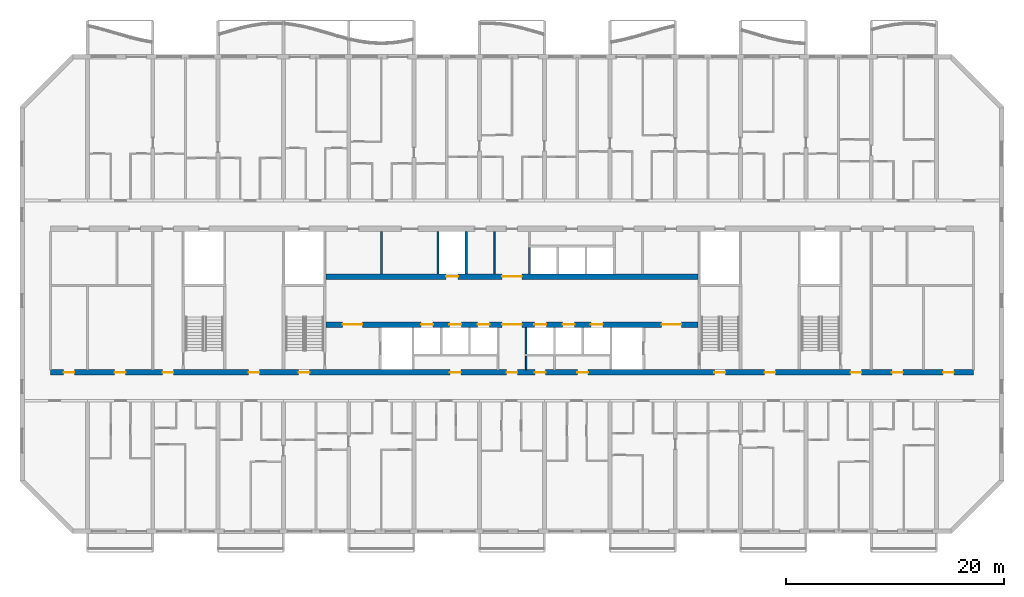
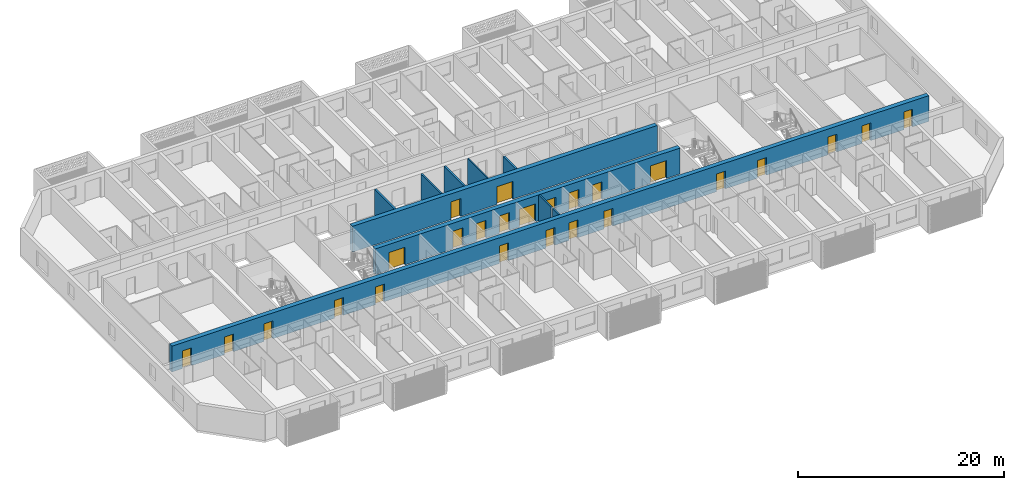
# One storey, part 7 of 31: 25 doors, 10 walls, 25 openings.
"""IFC4 building model written with IfcOpenShell, lengths in metres."""

from ifc_helpers import new_model, si_unit, direction, frame, frame_2d, origin, place, context, subcontext, project, spatial, rectangle, extrude, material, layer, layer_set, type_object, element, fill, save


model = new_model("IFC4")

# Units and contexts
model_context = context("Model", 3, precision=1e-05, world=origin(), true_north=direction((0.0, 1.0)))
body_context = subcontext(model_context, "Body", "Model", "MODEL_VIEW")
ifc_project = project(units=[si_unit("LENGTHUNIT", "METRE"), si_unit("AREAUNIT", "SQUARE_METRE"), si_unit("VOLUMEUNIT", "CUBIC_METRE"), si_unit("PLANEANGLEUNIT", "RADIAN"), si_unit("MASSUNIT", "GRAM", prefix="KILO")], contexts=[model_context])

# Site, building, storey
site_placement = place(None, origin())
site = spatial("IfcSite", under=ifc_project, at=site_placement, CompositionType="ELEMENT")
building_placement = place(site_placement, origin())
building = spatial("IfcBuilding", under=site, at=building_placement, Name="Poui Terraces", CompositionType="ELEMENT")
storey_placement = place(building_placement, frame((0.0, 0.0, 82.800048828125)))
storey = spatial("IfcBuildingStorey", under=building, at=storey_placement, Name="L22", CompositionType="ELEMENT", Elevation=82.800048828125)

# Wall, openings, doors
ifc_material_1 = material(Name="Concrete 65 MPa", Category="concrete")
ifc_layer_1 = layer(ifc_material_1, 0.5)
ifc_layer_set_1 = layer_set([ifc_layer_1], Name="Concrete 65 MPa")
wall_type_1 = type_object("IfcWallType", Name="CORE WALL 500 65 MPA", PredefinedType="SOLIDWALL", material=ifc_layer_set_1)
wall_1_placement = place(storey_placement, frame((33.925048828125, 19.0, 0.0), z_axis=(0.0, 0.0, 1.0), x_axis=(1.0, 0.0, 0.0)))
wall_1 = element("IfcWall", 1, at=wall_1_placement, inside=storey, type_object=wall_type_1, Name="CORE WALL", PredefinedType="SOLIDWALL", context=body_context, shape_type="SweptSolid", body=[
    extrude(rectangle(XDim=34.14990234375, YDim=0.5, at=frame_2d((17.074951171875, 0.0))), origin(), (0.0, 0.0, 1.0), 3.06005859375),
])
opening_1_placement = place(wall_1_placement, frame((16.175048828125, 0.0, 0.0)))
opening_1 = element("IfcOpeningElement", 2, at=opening_1_placement, cuts=wall_1, Name="Opening FDD60", PredefinedType="OPENING", context=body_context, shape_type="SweptSolid", body=[
    extrude(rectangle(XDim=1.800048828125, YDim=2.10009765625, at=frame_2d((0.89990234375, 1.050048828125))), frame((0.0, 0.260009765625, 0.0), z_axis=(0.0, -1.0, 0.0), x_axis=(1.0, 0.0, 0.0)), (0.0, 0.0, 1.0), 0.52001953125),
])
opening_2_placement = place(wall_1_placement, frame((1.52490234375, 0.0, 0.0)))
opening_2 = element("IfcOpeningElement", 3, at=opening_2_placement, cuts=wall_1, Name="Opening FDD60", PredefinedType="OPENING", context=body_context, shape_type="SweptSolid", body=[
    extrude(rectangle(XDim=1.800048828125, YDim=2.10009765625, at=frame_2d((0.89990234375, 1.050048828125))), frame((0.0, 0.260009765625, 0.0), z_axis=(0.0, -1.0, 0.0), x_axis=(1.0, 0.0, 0.0)), (0.0, 0.0, 1.0), 0.52001953125),
])
opening_3_placement = place(wall_1_placement, frame((8.72509765625, 0.0, 0.0)))
opening_3 = element("IfcOpeningElement", 4, at=opening_3_placement, cuts=wall_1, Name="Opening LD", PredefinedType="OPENING", context=body_context, shape_type="SweptSolid", body=[
    extrude(rectangle(XDim=1.10009765625, YDim=2.10009765625, at=frame_2d((0.550048828125, 1.050048828125))), frame((0.0, 0.260009765625, 0.0), z_axis=(0.0, -1.0, 0.0), x_axis=(1.0, 0.0, 0.0)), (0.0, 0.0, 1.0), 0.52001953125),
])
opening_4_placement = place(wall_1_placement, frame((11.324951171875, 0.0, 0.0)))
opening_4 = element("IfcOpeningElement", 5, at=opening_4_placement, cuts=wall_1, Name="Opening LD", PredefinedType="OPENING", context=body_context, shape_type="SweptSolid", body=[
    extrude(rectangle(XDim=1.10009765625, YDim=2.10009765625, at=frame_2d((0.550048828125, 1.050048828125))), frame((0.0, 0.260009765625, 0.0), z_axis=(0.0, -1.0, 0.0), x_axis=(1.0, 0.0, 0.0)), (0.0, 0.0, 1.0), 0.52001953125),
])
opening_5_placement = place(wall_1_placement, frame((13.925048828125, 0.0, 0.0)))
opening_5 = element("IfcOpeningElement", 6, at=opening_5_placement, cuts=wall_1, Name="Opening LD", PredefinedType="OPENING", context=body_context, shape_type="SweptSolid", body=[
    extrude(rectangle(XDim=1.10009765625, YDim=2.10009765625, at=frame_2d((0.550048828125, 1.050048828125))), frame((0.0, 0.260009765625, 0.0), z_axis=(0.0, -1.0, 0.0), x_axis=(1.0, 0.0, 0.0)), (0.0, 0.0, 1.0), 0.52001953125),
])
opening_6_placement = place(wall_1_placement, frame((19.125, 0.0, 0.0)))
opening_6 = element("IfcOpeningElement", 7, at=opening_6_placement, cuts=wall_1, Name="Opening LD", PredefinedType="OPENING", context=body_context, shape_type="SweptSolid", body=[
    extrude(rectangle(XDim=1.10009765625, YDim=2.10009765625, at=frame_2d((0.550048828125, 1.050048828125))), frame((0.0, 0.260009765625, 0.0), z_axis=(0.0, -1.0, 0.0), x_axis=(1.0, 0.0, 0.0)), (0.0, 0.0, 1.0), 0.52001953125),
])
opening_7_placement = place(wall_1_placement, frame((21.72509765625, 0.0, 0.0)))
opening_7 = element("IfcOpeningElement", 8, at=opening_7_placement, cuts=wall_1, Name="Opening LD", PredefinedType="OPENING", context=body_context, shape_type="SweptSolid", body=[
    extrude(rectangle(XDim=1.10009765625, YDim=2.10009765625, at=frame_2d((0.550048828125, 1.050048828125))), frame((0.0, 0.260009765625, 0.0), z_axis=(0.0, -1.0, 0.0), x_axis=(1.0, 0.0, 0.0)), (0.0, 0.0, 1.0), 0.52001953125),
])
opening_8_placement = place(wall_1_placement, frame((24.324951171875, 0.0, 0.0)))
opening_8 = element("IfcOpeningElement", 9, at=opening_8_placement, cuts=wall_1, Name="Opening LD", PredefinedType="OPENING", context=body_context, shape_type="SweptSolid", body=[
    extrude(rectangle(XDim=1.10009765625, YDim=2.10009765625, at=frame_2d((0.550048828125, 1.050048828125))), frame((0.0, 0.260009765625, 0.0), z_axis=(0.0, -1.0, 0.0), x_axis=(1.0, 0.0, 0.0)), (0.0, 0.0, 1.0), 0.52001953125),
])
opening_9_placement = place(wall_1_placement, frame((30.824951171875, 0.0, 0.0)))
opening_9 = element("IfcOpeningElement", 10, at=opening_9_placement, cuts=wall_1, Name="Opening FDD60", PredefinedType="OPENING", context=body_context, shape_type="SweptSolid", body=[
    extrude(rectangle(XDim=1.800048828125, YDim=2.10009765625, at=frame_2d((0.89990234375, 1.050048828125))), frame((0.0, 0.260009765625, 0.0), z_axis=(0.0, -1.0, 0.0), x_axis=(1.0, 0.0, 0.0)), (0.0, 0.0, 1.0), 0.52001953125),
])
ifc_material_2 = material(Name="Steel fire door", Category="steel")
door_type_1 = type_object("IfcDoorType", Name="DOUBLE LOBBY FIRE DOOR 1800 X 2100", OperationType="DOUBLE_DOOR_SINGLE_SWING", PredefinedType="DOOR", material=ifc_material_2)
door_1_placement = place(opening_1_placement, frame((1.800048828125, 0.0, 0.0), z_axis=(0.0, 0.0, 1.0), x_axis=(-1.0, 0.0, 0.0)))
door_1 = element("IfcDoor", 11, at=door_1_placement, inside=storey, type_object=door_type_1, Name="DOUBLE LOBBY FIRE DOOR 141", OperationType="DOUBLE_DOOR_SINGLE_SWING", OverallHeight=2.10009765625, OverallWidth=1.800048828125, PredefinedType="DOOR", context=body_context, shape_type="SweptSolid", body=[
    extrude(rectangle(XDim=1.800048828125, YDim=2.10009765625, at=frame_2d((0.89990234375, 1.050048828125))), frame((0.0, 0.02490234375, 0.0), z_axis=(0.0, -1.0, 0.0), x_axis=(1.0, 0.0, 0.0)), (0.0, 0.0, 1.0), 0.050048828125),
])
fill(opening_1, door_1)
door_2_placement = place(opening_2_placement, origin())
door_2 = element("IfcDoor", 12, at=door_2_placement, inside=storey, type_object=door_type_1, Name="DOUBLE LOBBY FIRE DOOR 142", OperationType="DOUBLE_DOOR_SINGLE_SWING", OverallHeight=2.10009765625, OverallWidth=1.800048828125, PredefinedType="DOOR", context=body_context, shape_type="SweptSolid", body=[
    extrude(rectangle(XDim=1.800048828125, YDim=2.10009765625, at=frame_2d((0.89990234375, 1.050048828125))), frame((0.0, 0.02490234375, 0.0), z_axis=(0.0, -1.0, 0.0), x_axis=(1.0, 0.0, 0.0)), (0.0, 0.0, 1.0), 0.050048828125),
])
fill(opening_2, door_2)
door_3_placement = place(opening_9_placement, origin())
door_3 = element("IfcDoor", 13, at=door_3_placement, inside=storey, type_object=door_type_1, Name="DOUBLE LOBBY FIRE DOOR 150", OperationType="DOUBLE_DOOR_SINGLE_SWING", OverallHeight=2.10009765625, OverallWidth=1.800048828125, PredefinedType="DOOR", context=body_context, shape_type="SweptSolid", body=[
    extrude(rectangle(XDim=1.800048828125, YDim=2.10009765625, at=frame_2d((0.89990234375, 1.050048828125))), frame((0.0, 0.02490234375, 0.0), z_axis=(0.0, -1.0, 0.0), x_axis=(1.0, 0.0, 0.0)), (0.0, 0.0, 1.0), 0.050048828125),
])
fill(opening_9, door_3)
ifc_material_3 = material(Name="Stainless steel sliding door", Category="steel")
door_type_2 = type_object("IfcDoorType", Name="LIFT LANDING DOOR 1100 X 2100", OperationType="DOUBLE_DOOR_SLIDING", PredefinedType="DOOR", material=ifc_material_3)
door_4_placement = place(opening_3_placement, origin())
door_4 = element("IfcDoor", 14, at=door_4_placement, inside=storey, type_object=door_type_2, Name="LANDING DOOR", OperationType="DOUBLE_DOOR_SLIDING", OverallHeight=2.10009765625, OverallWidth=1.10009765625, PredefinedType="DOOR", context=body_context, shape_type="SweptSolid", body=[
    extrude(rectangle(XDim=1.10009765625, YDim=2.10009765625, at=frame_2d((0.550048828125, 1.050048828125))), frame((0.0, 0.02490234375, 0.0), z_axis=(0.0, -1.0, 0.0), x_axis=(1.0, 0.0, 0.0)), (0.0, 0.0, 1.0), 0.050048828125),
])
fill(opening_3, door_4)
door_5_placement = place(opening_4_placement, origin())
door_5 = element("IfcDoor", 15, at=door_5_placement, inside=storey, type_object=door_type_2, Name="LANDING DOOR", OperationType="DOUBLE_DOOR_SLIDING", OverallHeight=2.10009765625, OverallWidth=1.10009765625, PredefinedType="DOOR", context=body_context, shape_type="SweptSolid", body=[
    extrude(rectangle(XDim=1.10009765625, YDim=2.10009765625, at=frame_2d((0.550048828125, 1.050048828125))), frame((0.0, 0.02490234375, 0.0), z_axis=(0.0, -1.0, 0.0), x_axis=(1.0, 0.0, 0.0)), (0.0, 0.0, 1.0), 0.050048828125),
])
fill(opening_4, door_5)
door_6_placement = place(opening_5_placement, origin())
door_6 = element("IfcDoor", 16, at=door_6_placement, inside=storey, type_object=door_type_2, Name="LANDING DOOR", OperationType="DOUBLE_DOOR_SLIDING", OverallHeight=2.10009765625, OverallWidth=1.10009765625, PredefinedType="DOOR", context=body_context, shape_type="SweptSolid", body=[
    extrude(rectangle(XDim=1.10009765625, YDim=2.10009765625, at=frame_2d((0.550048828125, 1.050048828125))), frame((0.0, 0.02490234375, 0.0), z_axis=(0.0, -1.0, 0.0), x_axis=(1.0, 0.0, 0.0)), (0.0, 0.0, 1.0), 0.050048828125),
])
fill(opening_5, door_6)
door_7_placement = place(opening_6_placement, origin())
door_7 = element("IfcDoor", 17, at=door_7_placement, inside=storey, type_object=door_type_2, Name="LANDING DOOR", OperationType="DOUBLE_DOOR_SLIDING", OverallHeight=2.10009765625, OverallWidth=1.10009765625, PredefinedType="DOOR", context=body_context, shape_type="SweptSolid", body=[
    extrude(rectangle(XDim=1.10009765625, YDim=2.10009765625, at=frame_2d((0.550048828125, 1.050048828125))), frame((0.0, 0.02490234375, 0.0), z_axis=(0.0, -1.0, 0.0), x_axis=(1.0, 0.0, 0.0)), (0.0, 0.0, 1.0), 0.050048828125),
])
fill(opening_6, door_7)
door_8_placement = place(opening_7_placement, origin())
door_8 = element("IfcDoor", 18, at=door_8_placement, inside=storey, type_object=door_type_2, Name="LANDING DOOR", OperationType="DOUBLE_DOOR_SLIDING", OverallHeight=2.10009765625, OverallWidth=1.10009765625, PredefinedType="DOOR", context=body_context, shape_type="SweptSolid", body=[
    extrude(rectangle(XDim=1.10009765625, YDim=2.10009765625, at=frame_2d((0.550048828125, 1.050048828125))), frame((0.0, 0.02490234375, 0.0), z_axis=(0.0, -1.0, 0.0), x_axis=(1.0, 0.0, 0.0)), (0.0, 0.0, 1.0), 0.050048828125),
])
fill(opening_7, door_8)
door_9_placement = place(opening_8_placement, origin())
door_9 = element("IfcDoor", 19, at=door_9_placement, inside=storey, type_object=door_type_2, Name="LANDING DOOR", OperationType="DOUBLE_DOOR_SLIDING", OverallHeight=2.10009765625, OverallWidth=1.10009765625, PredefinedType="DOOR", context=body_context, shape_type="SweptSolid", body=[
    extrude(rectangle(XDim=1.10009765625, YDim=2.10009765625, at=frame_2d((0.550048828125, 1.050048828125))), frame((0.0, 0.02490234375, 0.0), z_axis=(0.0, -1.0, 0.0), x_axis=(1.0, 0.0, 0.0)), (0.0, 0.0, 1.0), 0.050048828125),
])
fill(opening_8, door_9)

wall_2_placement = place(storey_placement, frame((33.925048828125, 23.39990234375, 0.0), z_axis=(0.0, 0.0, 1.0), x_axis=(1.0, 0.0, 0.0)))
wall_2 = element("IfcWall", 20, at=wall_2_placement, inside=storey, type_object=wall_type_1, Name="CORE WALL", PredefinedType="SOLIDWALL", context=body_context, shape_type="SweptSolid", body=[
    extrude(rectangle(XDim=34.14990234375, YDim=0.5, at=frame_2d((17.074951171875, 0.0))), origin(), (0.0, 0.0, 1.0), 3.06005859375),
])
opening_10_placement = place(wall_2_placement, frame((16.175048828125, 0.0, 0.0)))
opening_10 = element("IfcOpeningElement", 21, at=opening_10_placement, cuts=wall_2, Name="Opening FDD60", PredefinedType="OPENING", context=body_context, shape_type="SweptSolid", body=[
    extrude(rectangle(XDim=1.800048828125, YDim=2.10009765625, at=frame_2d((0.89990234375, 1.050048828125))), frame((0.0, 0.260009765625, 0.0), z_axis=(0.0, -1.0, 0.0), x_axis=(1.0, 0.0, 0.0)), (0.0, 0.0, 1.0), 0.52001953125),
])
opening_11_placement = place(wall_2_placement, frame((11.02490234375, 0.0, 0.0)))
opening_11 = element("IfcOpeningElement", 22, at=opening_11_placement, cuts=wall_2, Name="Opening LD", PredefinedType="OPENING", context=body_context, shape_type="SweptSolid", body=[
    extrude(rectangle(XDim=1.10009765625, YDim=2.10009765625, at=frame_2d((0.550048828125, 1.050048828125))), frame((0.0, 0.260009765625, 0.0), z_axis=(0.0, -1.0, 0.0), x_axis=(1.0, 0.0, 0.0)), (0.0, 0.0, 1.0), 0.52001953125),
])
door_10_placement = place(opening_10_placement, origin())
door_10 = element("IfcDoor", 23, at=door_10_placement, inside=storey, type_object=door_type_1, Name="DOUBLE LOBBY FIRE DOOR 140", OperationType="DOUBLE_DOOR_SINGLE_SWING", OverallHeight=2.10009765625, OverallWidth=1.800048828125, PredefinedType="DOOR", context=body_context, shape_type="SweptSolid", body=[
    extrude(rectangle(XDim=1.800048828125, YDim=2.10009765625, at=frame_2d((0.89990234375, 1.050048828125))), frame((0.0, 0.02490234375, 0.0), z_axis=(0.0, -1.0, 0.0), x_axis=(1.0, 0.0, 0.0)), (0.0, 0.0, 1.0), 0.050048828125),
])
fill(opening_10, door_10)
door_11_placement = place(opening_11_placement, origin())
door_11 = element("IfcDoor", 24, at=door_11_placement, inside=storey, type_object=door_type_2, Name="LANDING DOOR", OperationType="DOUBLE_DOOR_SLIDING", OverallHeight=2.10009765625, OverallWidth=1.10009765625, PredefinedType="DOOR", context=body_context, shape_type="SweptSolid", body=[
    extrude(rectangle(XDim=1.10009765625, YDim=2.10009765625, at=frame_2d((0.550048828125, 1.050048828125))), frame((0.0, 0.02490234375, 0.0), z_axis=(0.0, -1.0, 0.0), x_axis=(1.0, 0.0, 0.0)), (0.0, 0.0, 1.0), 0.050048828125),
])
fill(opening_11, door_11)

# Walls
ifc_material_4 = material(Name="Fire-rated plasterboard wall")
ifc_layer_2 = layer(ifc_material_4, 0.14990234375)
ifc_layer_set_2 = layer_set([ifc_layer_2], Name="Fire-rated plasterboard wall")
wall_type_2 = type_object("IfcWallType", Name="CORRIDOR WALL 150", PredefinedType="PARTITIONING", material=ifc_layer_set_2)
wall_3_placement = place(storey_placement, frame((49.39990234375, 23.659912109375, 0.0), z_axis=(0.0, 0.0, 1.0), x_axis=(0.0, 1.0, 0.0)))
element("IfcWall", 25, at=wall_3_placement, inside=storey, type_object=wall_type_2, Name="CORRIDOR WALL 150", PredefinedType="PARTITIONING", context=body_context, shape_type="SweptSolid", body=[
    extrude(rectangle(XDim=3.880126953125, YDim=0.14990234375, at=frame_2d((1.93994140625, 0.0))), origin(), (0.0, 0.0, 1.0), 3.06005859375),
])
wall_4_placement = place(storey_placement, frame((52.300048828125, 14.860107421875, 0.0), z_axis=(0.0, 0.0, 1.0), x_axis=(0.0, 1.0, 0.0)))
element("IfcWall", 26, at=wall_4_placement, inside=storey, type_object=wall_type_2, Name="CORRIDOR WALL 150", PredefinedType="PARTITIONING", context=body_context, shape_type="SweptSolid", body=[
    extrude(rectangle(XDim=1.239990234375, YDim=0.14990234375, at=frame_2d((0.6201171875, 0.0))), origin(), (0.0, 0.0, 1.0), 3.06005859375),
])
ifc_material_5 = material(Name="Fire-rated masonry wall", Category="masonry")
ifc_layer_3 = layer(ifc_material_5, 0.199951171875)
ifc_layer_set_3 = layer_set([ifc_layer_3], Name="Fire-rated masonry wall")
wall_type_3 = type_object("IfcWallType", Name="PLANT ROOM WALL 200", PredefinedType="PARTITIONING", material=ifc_layer_set_3)
wall_5_placement = place(storey_placement, frame((39.0, 23.659912109375, 0.0), z_axis=(0.0, 0.0, 1.0), x_axis=(0.0, 1.0, 0.0)))
element("IfcWall", 27, at=wall_5_placement, inside=storey, type_object=wall_type_3, Name="PLANT ROOM WALL 200", PredefinedType="PARTITIONING", context=body_context, shape_type="SweptSolid", body=[
    extrude(rectangle(XDim=3.880126953125, YDim=0.199951171875, at=frame_2d((1.93994140625, 0.0))), origin(), (0.0, 0.0, 1.0), 3.06005859375),
])
ifc_material_6 = material(Name="Fire-rated masonry shaft wall", Category="masonry")
ifc_layer_4 = layer(ifc_material_6, 0.199951171875)
ifc_layer_set_4 = layer_set([ifc_layer_4], Name="Fire-rated masonry shaft wall")
wall_type_4 = type_object("IfcWallType", Name="SHAFT WALL 200", PredefinedType="PARTITIONING", material=ifc_layer_set_4)
for number, where, z_axis, x_axis, name in (
    (28, (44.199951171875, 23.659912109375, 0.0), (0.0, 0.0, 1.0), (0.0, 1.0, 0.0), "SHAFT WALL 200"),
    (29, (46.800048828125, 23.659912109375, 0.0), (0.0, 0.0, 1.0), (0.0, 1.0, 0.0), "SHAFT WALL 200"),
):
    element("IfcWall", number, at=place(storey_placement, frame(where, z_axis=z_axis, x_axis=x_axis)), inside=storey, type_object=wall_type_4, Name=name, PredefinedType="PARTITIONING", context=body_context, shape_type="SweptSolid", body=[
        extrude(rectangle(XDim=3.880126953125, YDim=0.199951171875, at=frame_2d((1.93994140625, 0.0))), origin(), (0.0, 0.0, 1.0), 3.06005859375),
    ])
wall_6_placement = place(storey_placement, frame((52.300048828125, 16.300048828125, 0.0), z_axis=(0.0, 0.0, 1.0), x_axis=(0.0, 1.0, 0.0)))
element("IfcWall", 30, at=wall_6_placement, inside=storey, type_object=wall_type_4, Name="SHAFT WALL 200", PredefinedType="PARTITIONING", context=body_context, shape_type="SweptSolid", body=[
    extrude(rectangle(XDim=2.43994140625, YDim=0.199951171875, at=frame_2d((1.219970703125, 0.0))), origin(), (0.0, 0.0, 1.0), 3.06005859375),
])
wall_7_placement = place(storey_placement, frame((52.60009765625, 23.659912109375, 0.0), z_axis=(0.0, 0.0, 1.0), x_axis=(0.0, 1.0, 0.0)))
element("IfcWall", 31, at=wall_7_placement, inside=storey, type_object=wall_type_4, Name="SHAFT WALL 200", PredefinedType="PARTITIONING", context=body_context, shape_type="SweptSolid", body=[
    extrude(rectangle(XDim=2.440185546875, YDim=0.199951171875, at=frame_2d((1.22021484375, 0.0))), origin(), (0.0, 0.0, 1.0), 3.06005859375),
])

# Wall, openings, doors
ifc_layer_5 = layer(ifc_material_1, 0.5)
ifc_layer_set_5 = layer_set([ifc_layer_5], Name="Concrete 65 MPa")
wall_type_5 = type_object("IfcWallType", Name="SPINE WALL 500 65 MPA", PredefinedType="SOLIDWALL", material=ifc_layer_set_5)
wall_8_placement = place(storey_placement, frame((8.60009765625, 14.60009765625, 0.0), z_axis=(0.0, 0.0, 1.0), x_axis=(1.0, 0.0, 0.0)))
wall_8 = element("IfcWall", 32, at=wall_8_placement, inside=storey, type_object=wall_type_5, Name="SPINE WALL", PredefinedType="SOLIDWALL", context=body_context, shape_type="SweptSolid", body=[
    extrude(rectangle(XDim=84.7998046875, YDim=0.5, at=frame_2d((42.39990234375, 0.0))), origin(), (0.0, 0.0, 1.0), 3.06005859375),
])
opening_12_placement = place(wall_8_placement, frame((1.199951171875, 0.0, 0.0)))
opening_12 = element("IfcOpeningElement", 33, at=opening_12_placement, cuts=wall_8, Name="Opening FD60", PredefinedType="OPENING", context=body_context, shape_type="SweptSolid", body=[
    extrude(rectangle(XDim=1.0, YDim=2.10009765625, at=frame_2d((0.5, 1.050048828125))), frame((0.0, 0.260009765625, 0.0), z_axis=(0.0, -1.0, 0.0), x_axis=(1.0, 0.0, 0.0)), (0.0, 0.0, 1.0), 0.52001953125),
])
opening_13_placement = place(wall_8_placement, frame((5.89990234375, 0.0, 0.0)))
opening_13 = element("IfcOpeningElement", 34, at=opening_13_placement, cuts=wall_8, Name="Opening FD60", PredefinedType="OPENING", context=body_context, shape_type="SweptSolid", body=[
    extrude(rectangle(XDim=1.0, YDim=2.10009765625, at=frame_2d((0.5, 1.050048828125))), frame((0.0, 0.260009765625, 0.0), z_axis=(0.0, -1.0, 0.0), x_axis=(1.0, 0.0, 0.0)), (0.0, 0.0, 1.0), 0.52001953125),
])
opening_14_placement = place(wall_8_placement, frame((10.300048828125, 0.0, 0.0)))
opening_14 = element("IfcOpeningElement", 35, at=opening_14_placement, cuts=wall_8, Name="Opening FDL", PredefinedType="OPENING", context=body_context, shape_type="SweptSolid", body=[
    extrude(rectangle(XDim=1.0, YDim=2.10009765625, at=frame_2d((0.5, 1.050048828125))), frame((0.0, 0.260009765625, 0.0), z_axis=(0.0, -1.0, 0.0), x_axis=(1.0, 0.0, 0.0)), (0.0, 0.0, 1.0), 0.52001953125),
])
opening_15_placement = place(wall_8_placement, frame((18.199951171875, 0.0, 0.0)))
opening_15 = element("IfcOpeningElement", 36, at=opening_15_placement, cuts=wall_8, Name="Opening D100", PredefinedType="OPENING", context=body_context, shape_type="SweptSolid", body=[
    extrude(rectangle(XDim=1.0, YDim=2.10009765625, at=frame_2d((0.5, 1.050048828125))), frame((0.0, 0.260009765625, 0.0), z_axis=(0.0, -1.0, 0.0), x_axis=(1.0, 0.0, 0.0)), (0.0, 0.0, 1.0), 0.52001953125),
])
opening_16_placement = place(wall_8_placement, frame((22.800048828125, 0.0, 0.0)))
opening_16 = element("IfcOpeningElement", 37, at=opening_16_placement, cuts=wall_8, Name="Opening FD60S", PredefinedType="OPENING", context=body_context, shape_type="SweptSolid", body=[
    extrude(rectangle(XDim=1.0, YDim=2.10009765625, at=frame_2d((0.5, 1.050048828125))), frame((0.0, 0.260009765625, 0.0), z_axis=(0.0, -1.0, 0.0), x_axis=(1.0, 0.0, 0.0)), (0.0, 0.0, 1.0), 0.52001953125),
])
opening_17_placement = place(wall_8_placement, frame((36.699951171875, 0.0, 0.0)))
opening_17 = element("IfcOpeningElement", 38, at=opening_17_placement, cuts=wall_8, Name="Opening FD60", PredefinedType="OPENING", context=body_context, shape_type="SweptSolid", body=[
    extrude(rectangle(XDim=1.0, YDim=2.10009765625, at=frame_2d((0.5, 1.050048828125))), frame((0.0, 0.260009765625, 0.0), z_axis=(0.0, -1.0, 0.0), x_axis=(1.0, 0.0, 0.0)), (0.0, 0.0, 1.0), 0.52001953125),
])
opening_18_placement = place(wall_8_placement, frame((41.89990234375, 0.0, 0.0)))
opening_18 = element("IfcOpeningElement", 39, at=opening_18_placement, cuts=wall_8, Name="Opening FDL", PredefinedType="OPENING", context=body_context, shape_type="SweptSolid", body=[
    extrude(rectangle(XDim=1.0, YDim=2.10009765625, at=frame_2d((0.5, 1.050048828125))), frame((0.0, 0.260009765625, 0.0), z_axis=(0.0, -1.0, 0.0), x_axis=(1.0, 0.0, 0.0)), (0.0, 0.0, 1.0), 0.52001953125),
])
opening_19_placement = place(wall_8_placement, frame((44.5, 0.0, 0.0)))
opening_19 = element("IfcOpeningElement", 40, at=opening_19_placement, cuts=wall_8, Name="Opening FD60", PredefinedType="OPENING", context=body_context, shape_type="SweptSolid", body=[
    extrude(rectangle(XDim=1.0, YDim=2.10009765625, at=frame_2d((0.5, 1.050048828125))), frame((0.0, 0.260009765625, 0.0), z_axis=(0.0, -1.0, 0.0), x_axis=(1.0, 0.0, 0.0)), (0.0, 0.0, 1.0), 0.52001953125),
])
opening_20_placement = place(wall_8_placement, frame((48.39990234375, 0.0, 0.0)))
opening_20 = element("IfcOpeningElement", 41, at=opening_20_placement, cuts=wall_8, Name="Opening FD60", PredefinedType="OPENING", context=body_context, shape_type="SweptSolid", body=[
    extrude(rectangle(XDim=1.0, YDim=2.10009765625, at=frame_2d((0.5, 1.050048828125))), frame((0.0, 0.260009765625, 0.0), z_axis=(0.0, -1.0, 0.0), x_axis=(1.0, 0.0, 0.0)), (0.0, 0.0, 1.0), 0.52001953125),
])
opening_21_placement = place(wall_8_placement, frame((61.0, 0.0, 0.0)))
opening_21 = element("IfcOpeningElement", 42, at=opening_21_placement, cuts=wall_8, Name="Opening FD60S", PredefinedType="OPENING", context=body_context, shape_type="SweptSolid", body=[
    extrude(rectangle(XDim=1.0, YDim=2.10009765625, at=frame_2d((0.5, 1.050048828125))), frame((0.0, 0.260009765625, 0.0), z_axis=(0.0, -1.0, 0.0), x_axis=(1.0, 0.0, 0.0)), (0.0, 0.0, 1.0), 0.52001953125),
])
opening_22_placement = place(wall_8_placement, frame((65.60009765625, 0.0, 0.0)))
opening_22 = element("IfcOpeningElement", 43, at=opening_22_placement, cuts=wall_8, Name="Opening D100", PredefinedType="OPENING", context=body_context, shape_type="SweptSolid", body=[
    extrude(rectangle(XDim=1.0, YDim=2.10009765625, at=frame_2d((0.5, 1.050048828125))), frame((0.0, 0.260009765625, 0.0), z_axis=(0.0, -1.0, 0.0), x_axis=(1.0, 0.0, 0.0)), (0.0, 0.0, 1.0), 0.52001953125),
])
opening_23_placement = place(wall_8_placement, frame((73.5, 0.0, 0.0)))
opening_23 = element("IfcOpeningElement", 44, at=opening_23_placement, cuts=wall_8, Name="Opening FDL", PredefinedType="OPENING", context=body_context, shape_type="SweptSolid", body=[
    extrude(rectangle(XDim=1.0, YDim=2.10009765625, at=frame_2d((0.5, 1.050048828125))), frame((0.0, 0.260009765625, 0.0), z_axis=(0.0, -1.0, 0.0), x_axis=(1.0, 0.0, 0.0)), (0.0, 0.0, 1.0), 0.52001953125),
])
opening_24_placement = place(wall_8_placement, frame((77.300048828125, 0.0, 0.0)))
opening_24 = element("IfcOpeningElement", 45, at=opening_24_placement, cuts=wall_8, Name="Opening FD60", PredefinedType="OPENING", context=body_context, shape_type="SweptSolid", body=[
    extrude(rectangle(XDim=1.0, YDim=2.10009765625, at=frame_2d((0.5, 1.050048828125))), frame((0.0, 0.260009765625, 0.0), z_axis=(0.0, -1.0, 0.0), x_axis=(1.0, 0.0, 0.0)), (0.0, 0.0, 1.0), 0.52001953125),
])
opening_25_placement = place(wall_8_placement, frame((82.0, 0.0, 0.0)))
opening_25 = element("IfcOpeningElement", 46, at=opening_25_placement, cuts=wall_8, Name="Opening D100", PredefinedType="OPENING", context=body_context, shape_type="SweptSolid", body=[
    extrude(rectangle(XDim=1.0, YDim=2.10009765625, at=frame_2d((0.5, 1.050048828125))), frame((0.0, 0.260009765625, 0.0), z_axis=(0.0, -1.0, 0.0), x_axis=(1.0, 0.0, 0.0)), (0.0, 0.0, 1.0), 0.52001953125),
])
ifc_material_7 = material(Name="Solid core timber door", Category="wood")
door_type_3 = type_object("IfcDoorType", Name="ACCESSIBLE INTERNAL DOOR 1000 X 2100", OperationType="NOTDEFINED", PredefinedType="DOOR", material=ifc_material_7)
door_12_placement = place(opening_15_placement, frame((1.0, 0.0, 0.0), z_axis=(0.0, 0.0, 1.0), x_axis=(-1.0, 0.0, 0.0)))
door_12 = element("IfcDoor", 47, at=door_12_placement, inside=storey, type_object=door_type_3, Name="ACCESSIBLE INTERNAL DOOR 021", OperationType="SINGLE_SWING_RIGHT", OverallHeight=2.10009765625, OverallWidth=1.0, PredefinedType="DOOR", context=body_context, shape_type="SweptSolid", body=[
    extrude(rectangle(XDim=1.0, YDim=2.10009765625, at=frame_2d((0.5, 1.050048828125))), frame((0.0, 0.02490234375, 0.0), z_axis=(0.0, -1.0, 0.0), x_axis=(1.0, 0.0, 0.0)), (0.0, 0.0, 1.0), 0.050048828125),
])
fill(opening_15, door_12)
door_13_placement = place(opening_22_placement, frame((1.0, 0.0, 0.0), z_axis=(0.0, 0.0, 1.0), x_axis=(-1.0, 0.0, 0.0)))
door_13 = element("IfcDoor", 48, at=door_13_placement, inside=storey, type_object=door_type_3, Name="ACCESSIBLE INTERNAL DOOR 028", OperationType="SINGLE_SWING_LEFT", OverallHeight=2.10009765625, OverallWidth=1.0, PredefinedType="DOOR", context=body_context, shape_type="SweptSolid", body=[
    extrude(rectangle(XDim=1.0, YDim=2.10009765625, at=frame_2d((0.5, 1.050048828125))), frame((0.0, 0.02490234375, 0.0), z_axis=(0.0, -1.0, 0.0), x_axis=(1.0, 0.0, 0.0)), (0.0, 0.0, 1.0), 0.050048828125),
])
fill(opening_22, door_13)
door_14_placement = place(opening_25_placement, frame((1.0, 0.0, 0.0), z_axis=(0.0, 0.0, 1.0), x_axis=(-1.0, 0.0, 0.0)))
door_14 = element("IfcDoor", 49, at=door_14_placement, inside=storey, type_object=door_type_3, Name="ACCESSIBLE INTERNAL DOOR 031", OperationType="SINGLE_SWING_LEFT", OverallHeight=2.10009765625, OverallWidth=1.0, PredefinedType="DOOR", context=body_context, shape_type="SweptSolid", body=[
    extrude(rectangle(XDim=1.0, YDim=2.10009765625, at=frame_2d((0.5, 1.050048828125))), frame((0.0, 0.02490234375, 0.0), z_axis=(0.0, -1.0, 0.0), x_axis=(1.0, 0.0, 0.0)), (0.0, 0.0, 1.0), 0.050048828125),
])
fill(opening_25, door_14)
door_type_4 = type_object("IfcDoorType", Name="LOBBY FIRE DOOR 1000 X 2100", OperationType="NOTDEFINED", PredefinedType="DOOR", material=ifc_material_2)
door_15_placement = place(opening_14_placement, frame((1.0, 0.0, 0.0), z_axis=(0.0, 0.0, 1.0), x_axis=(-1.0, 0.0, 0.0)))
door_15 = element("IfcDoor", 50, at=door_15_placement, inside=storey, type_object=door_type_4, Name="LOBBY FIRE DOOR 020", OperationType="SINGLE_SWING_RIGHT", OverallHeight=2.10009765625, OverallWidth=1.0, PredefinedType="DOOR", context=body_context, shape_type="SweptSolid", body=[
    extrude(rectangle(XDim=1.0, YDim=2.10009765625, at=frame_2d((0.5, 1.050048828125))), frame((0.0, 0.02490234375, 0.0), z_axis=(0.0, -1.0, 0.0), x_axis=(1.0, 0.0, 0.0)), (0.0, 0.0, 1.0), 0.050048828125),
])
fill(opening_14, door_15)
door_16_placement = place(opening_18_placement, frame((1.0, 0.0, 0.0), z_axis=(0.0, 0.0, 1.0), x_axis=(-1.0, 0.0, 0.0)))
door_16 = element("IfcDoor", 51, at=door_16_placement, inside=storey, type_object=door_type_4, Name="LOBBY FIRE DOOR 024", OperationType="SINGLE_SWING_LEFT", OverallHeight=2.10009765625, OverallWidth=1.0, PredefinedType="DOOR", context=body_context, shape_type="SweptSolid", body=[
    extrude(rectangle(XDim=1.0, YDim=2.10009765625, at=frame_2d((0.5, 1.050048828125))), frame((0.0, 0.02490234375, 0.0), z_axis=(0.0, -1.0, 0.0), x_axis=(1.0, 0.0, 0.0)), (0.0, 0.0, 1.0), 0.050048828125),
])
fill(opening_18, door_16)
door_17_placement = place(opening_23_placement, frame((1.0, 0.0, 0.0), z_axis=(0.0, 0.0, 1.0), x_axis=(-1.0, 0.0, 0.0)))
door_17 = element("IfcDoor", 52, at=door_17_placement, inside=storey, type_object=door_type_4, Name="LOBBY FIRE DOOR 029", OperationType="SINGLE_SWING_LEFT", OverallHeight=2.10009765625, OverallWidth=1.0, PredefinedType="DOOR", context=body_context, shape_type="SweptSolid", body=[
    extrude(rectangle(XDim=1.0, YDim=2.10009765625, at=frame_2d((0.5, 1.050048828125))), frame((0.0, 0.02490234375, 0.0), z_axis=(0.0, -1.0, 0.0), x_axis=(1.0, 0.0, 0.0)), (0.0, 0.0, 1.0), 0.050048828125),
])
fill(opening_23, door_17)
door_type_5 = type_object("IfcDoorType", Name="SERVICE ROOM FIRE DOOR 1000 X 2100", OperationType="NOTDEFINED", PredefinedType="DOOR", material=ifc_material_2)
door_18_placement = place(opening_12_placement, frame((1.0, 0.0, 0.0), z_axis=(0.0, 0.0, 1.0), x_axis=(-1.0, 0.0, 0.0)))
door_18 = element("IfcDoor", 53, at=door_18_placement, inside=storey, type_object=door_type_5, Name="SERVICE ROOM FIRE DOOR 018", OperationType="SINGLE_SWING_RIGHT", OverallHeight=2.10009765625, OverallWidth=1.0, PredefinedType="DOOR", context=body_context, shape_type="SweptSolid", body=[
    extrude(rectangle(XDim=1.0, YDim=2.10009765625, at=frame_2d((0.5, 1.050048828125))), frame((0.0, 0.02490234375, 0.0), z_axis=(0.0, -1.0, 0.0), x_axis=(1.0, 0.0, 0.0)), (0.0, 0.0, 1.0), 0.050048828125),
])
fill(opening_12, door_18)
door_19_placement = place(opening_13_placement, frame((1.0, 0.0, 0.0), z_axis=(0.0, 0.0, 1.0), x_axis=(-1.0, 0.0, 0.0)))
door_19 = element("IfcDoor", 54, at=door_19_placement, inside=storey, type_object=door_type_5, Name="SERVICE ROOM FIRE DOOR 019", OperationType="SINGLE_SWING_LEFT", OverallHeight=2.10009765625, OverallWidth=1.0, PredefinedType="DOOR", context=body_context, shape_type="SweptSolid", body=[
    extrude(rectangle(XDim=1.0, YDim=2.10009765625, at=frame_2d((0.5, 1.050048828125))), frame((0.0, 0.02490234375, 0.0), z_axis=(0.0, -1.0, 0.0), x_axis=(1.0, 0.0, 0.0)), (0.0, 0.0, 1.0), 0.050048828125),
])
fill(opening_13, door_19)
door_20_placement = place(opening_17_placement, frame((1.0, 0.0, 0.0), z_axis=(0.0, 0.0, 1.0), x_axis=(-1.0, 0.0, 0.0)))
door_20 = element("IfcDoor", 55, at=door_20_placement, inside=storey, type_object=door_type_5, Name="SERVICE ROOM FIRE DOOR 023", OperationType="SINGLE_SWING_LEFT", OverallHeight=2.10009765625, OverallWidth=1.0, PredefinedType="DOOR", context=body_context, shape_type="SweptSolid", body=[
    extrude(rectangle(XDim=1.0, YDim=2.10009765625, at=frame_2d((0.5, 1.050048828125))), frame((0.0, 0.02490234375, 0.0), z_axis=(0.0, -1.0, 0.0), x_axis=(1.0, 0.0, 0.0)), (0.0, 0.0, 1.0), 0.050048828125),
])
fill(opening_17, door_20)
door_21_placement = place(opening_19_placement, frame((1.0, 0.0, 0.0), z_axis=(0.0, 0.0, 1.0), x_axis=(-1.0, 0.0, 0.0)))
door_21 = element("IfcDoor", 56, at=door_21_placement, inside=storey, type_object=door_type_5, Name="SERVICE ROOM FIRE DOOR 025", OperationType="SINGLE_SWING_RIGHT", OverallHeight=2.10009765625, OverallWidth=1.0, PredefinedType="DOOR", context=body_context, shape_type="SweptSolid", body=[
    extrude(rectangle(XDim=1.0, YDim=2.10009765625, at=frame_2d((0.5, 1.050048828125))), frame((0.0, 0.02490234375, 0.0), z_axis=(0.0, -1.0, 0.0), x_axis=(1.0, 0.0, 0.0)), (0.0, 0.0, 1.0), 0.050048828125),
])
fill(opening_19, door_21)
door_22_placement = place(opening_20_placement, frame((1.0, 0.0, 0.0), z_axis=(0.0, 0.0, 1.0), x_axis=(-1.0, 0.0, 0.0)))
door_22 = element("IfcDoor", 57, at=door_22_placement, inside=storey, type_object=door_type_5, Name="SERVICE ROOM FIRE DOOR 026", OperationType="SINGLE_SWING_LEFT", OverallHeight=2.10009765625, OverallWidth=1.0, PredefinedType="DOOR", context=body_context, shape_type="SweptSolid", body=[
    extrude(rectangle(XDim=1.0, YDim=2.10009765625, at=frame_2d((0.5, 1.050048828125))), frame((0.0, 0.02490234375, 0.0), z_axis=(0.0, -1.0, 0.0), x_axis=(1.0, 0.0, 0.0)), (0.0, 0.0, 1.0), 0.050048828125),
])
fill(opening_20, door_22)
door_23_placement = place(opening_24_placement, frame((1.0, 0.0, 0.0), z_axis=(0.0, 0.0, 1.0), x_axis=(-1.0, 0.0, 0.0)))
door_23 = element("IfcDoor", 58, at=door_23_placement, inside=storey, type_object=door_type_5, Name="SERVICE ROOM FIRE DOOR 030", OperationType="SINGLE_SWING_RIGHT", OverallHeight=2.10009765625, OverallWidth=1.0, PredefinedType="DOOR", context=body_context, shape_type="SweptSolid", body=[
    extrude(rectangle(XDim=1.0, YDim=2.10009765625, at=frame_2d((0.5, 1.050048828125))), frame((0.0, 0.02490234375, 0.0), z_axis=(0.0, -1.0, 0.0), x_axis=(1.0, 0.0, 0.0)), (0.0, 0.0, 1.0), 0.050048828125),
])
fill(opening_24, door_23)
door_type_6 = type_object("IfcDoorType", Name="STAIR DOOR 1000 X 2100", OperationType="NOTDEFINED", PredefinedType="DOOR", material=ifc_material_2)
door_24_placement = place(opening_16_placement, origin())
door_24 = element("IfcDoor", 59, at=door_24_placement, inside=storey, type_object=door_type_6, Name="STAIR DOOR 022", OperationType="SINGLE_SWING_RIGHT", OverallHeight=2.10009765625, OverallWidth=1.0, PredefinedType="DOOR", context=body_context, shape_type="SweptSolid", body=[
    extrude(rectangle(XDim=1.0, YDim=2.10009765625, at=frame_2d((0.5, 1.050048828125))), frame((0.0, 0.02490234375, 0.0), z_axis=(0.0, -1.0, 0.0), x_axis=(1.0, 0.0, 0.0)), (0.0, 0.0, 1.0), 0.050048828125),
])
fill(opening_16, door_24)
door_25_placement = place(opening_21_placement, origin())
door_25 = element("IfcDoor", 60, at=door_25_placement, inside=storey, type_object=door_type_6, Name="STAIR DOOR 027", OperationType="SINGLE_SWING_RIGHT", OverallHeight=2.10009765625, OverallWidth=1.0, PredefinedType="DOOR", context=body_context, shape_type="SweptSolid", body=[
    extrude(rectangle(XDim=1.0, YDim=2.10009765625, at=frame_2d((0.5, 1.050048828125))), frame((0.0, 0.02490234375, 0.0), z_axis=(0.0, -1.0, 0.0), x_axis=(1.0, 0.0, 0.0)), (0.0, 0.0, 1.0), 0.050048828125),
])
fill(opening_21, door_25)

save(model, "model.ifc")
